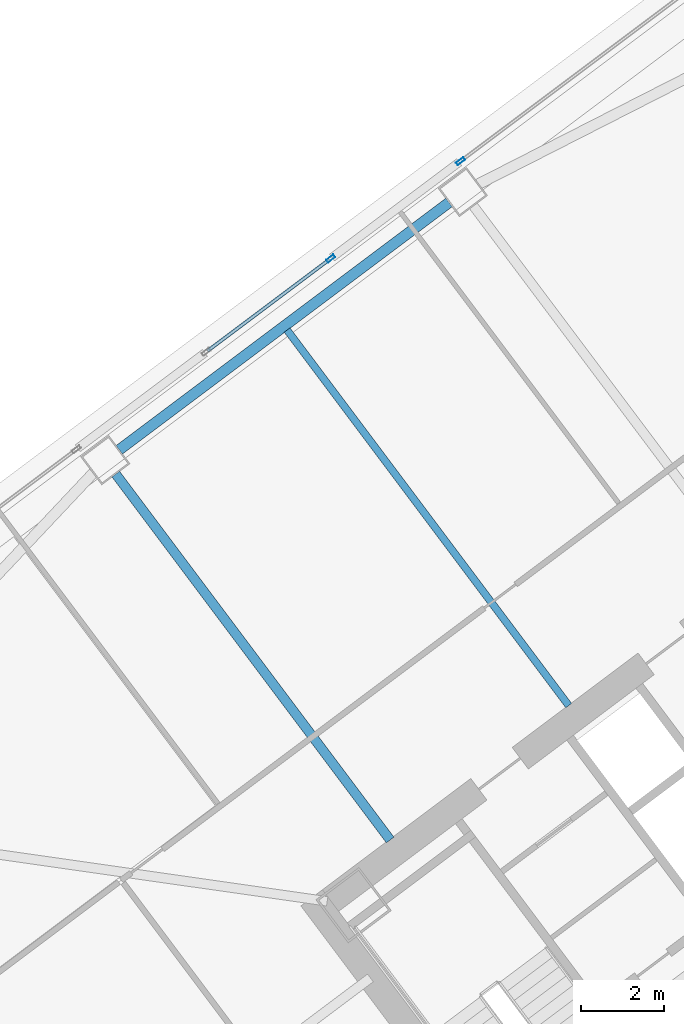
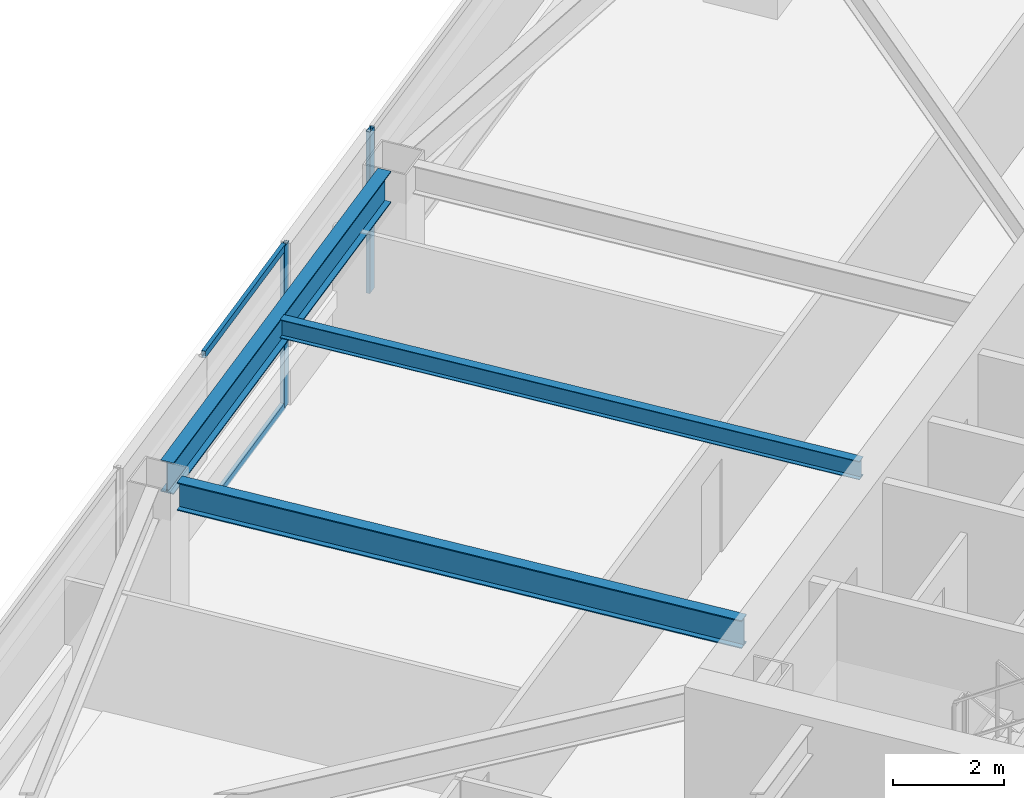
# One storey, part 28 of 46: 4 members, 3 beams, 2 elements without a shape of their own.
"""IFC4 building model written with IfcOpenShell, lengths in metres."""

from ifc_helpers import new_model, si_unit, direction, frame, origin, origin_2d, place, context, subcontext, project, spatial, hollow_rectangle, i_section, extrude, material, material_profile, profile_set, type_object, element, aggregate, save


model = new_model("IFC4")

# Units and contexts
model_context = context("Model", 3, precision=1e-05, world=origin(), true_north=direction((0.0, 1.0)))
body_context = subcontext(model_context, "Body", "Model", "MODEL_VIEW")
ifc_project = project(units=[si_unit("LENGTHUNIT", "METRE"), si_unit("AREAUNIT", "SQUARE_METRE"), si_unit("VOLUMEUNIT", "CUBIC_METRE"), si_unit("PLANEANGLEUNIT", "RADIAN"), si_unit("MASSUNIT", "GRAM", prefix="KILO")], contexts=[model_context])

# Site, building, storey
site_placement = place(None, origin())
site = spatial("IfcSite", under=ifc_project, at=site_placement, CompositionType="ELEMENT")
building_placement = place(site_placement, origin())
building = spatial("IfcBuilding", under=site, at=building_placement, Name="Tashvorn Skyway Center", CompositionType="ELEMENT")
storey_placement = place(building_placement, frame((0.0, 0.0, 99.14990234375)))
storey = spatial("IfcBuildingStorey", under=building, at=storey_placement, Name="L26", CompositionType="ELEMENT", Elevation=99.14990234375)

# Beams
ifc_material_1 = material(Name="Steel ASTM A992 Grade 50", Category="steel")
ifc_material_profile_1 = material_profile(ifc_material_1, i_section(OverallWidth=0.22998046875, OverallDepth=0.616943359375, WebThickness=0.01318359375, FlangeThickness=0.022216796875, at=origin_2d()), Name="W24X94")
ifc_profile_set_1 = profile_set([ifc_material_profile_1], Name="Steel ASTM A992 Grade 50")
beam_type_1 = type_object("IfcBeamType", Name="BM-BEAM-W24X94", PredefinedType="BEAM", material=ifc_profile_set_1)
beam_1_placement = place(storey_placement, frame((98.382080078125, 43.823974609375, 3.04150390625), z_axis=(0.599989394744, -0.800007953832, 0.0), x_axis=(0.800007953832, 0.599989394744, 0.0)))
element("IfcBeam", 1, at=beam_1_placement, inside=storey, type_object=beam_type_1, Name="Tower 2 L26 Primary Floor Girder FC-N2", PredefinedType="BEAM", context=body_context, shape_type="SweptSolid", body=[
    extrude(i_section(OverallWidth=0.22998046875, OverallDepth=0.616943359375, WebThickness=0.01318359375, FlangeThickness=0.022216796875, at=origin_2d()), origin(), (0.0, 0.0, 1.0), 11.050048828125),
])
ifc_material_profile_2 = material_profile(ifc_material_1, i_section(OverallWidth=0.177978515625, OverallDepth=0.406005859375, WebThickness=0.0078125, FlangeThickness=0.0126953125, at=origin_2d()), Name="W16X40")
ifc_profile_set_2 = profile_set([ifc_material_profile_2], Name="Steel ASTM A992 Grade 50")
beam_type_2 = type_object("IfcBeamType", Name="BM-JOIST-W16X40", PredefinedType="JOIST", material=ifc_profile_set_2)
beam_2_placement = place(storey_placement, frame((109.325927734375, 38.23193359375, 3.147216796875), z_axis=(-0.599996555327, 0.800002583493, 0.0), x_axis=(-0.800002583493, -0.599996555327, 0.0)))
element("IfcBeam", 2, at=beam_2_placement, inside=storey, type_object=beam_type_2, Name="Tower 2 L26 Secondary Composite Joist JN", PredefinedType="JOIST", context=body_context, shape_type="SweptSolid", body=[
    extrude(i_section(OverallWidth=0.177978515625, OverallDepth=0.406005859375, WebThickness=0.0078125, FlangeThickness=0.0126953125, at=origin_2d()), origin(), (0.0, 0.0, 1.0), 11.340087890625),
])
ifc_material_profile_3 = material_profile(ifc_material_1, i_section(OverallWidth=0.256103515625, OverallDepth=0.693115234375, WebThickness=0.014404296875, FlangeThickness=0.023681640625, at=origin_2d()), Name="W27X114")
ifc_profile_set_3 = profile_set([ifc_material_profile_3], Name="Steel ASTM A992 Grade 50")
beam_type_3 = type_object("IfcBeamType", Name="BM-SPANDREL-W27X114", PredefinedType="SPANDREL", material=ifc_profile_set_3)
beam_3_placement = place(storey_placement, frame((106.43408203125, 50.387939453125, 3.003662109375), z_axis=(-0.800008824351, -0.599988234018, 0.0), x_axis=(0.599988234018, -0.800008824351, 0.0)))
element("IfcBeam", 3, at=beam_3_placement, inside=storey, type_object=beam_type_3, Name="Tower 2 L26 Spandrel Beam 08", PredefinedType="SPANDREL", context=body_context, shape_type="SweptSolid", body=[
    extrude(i_section(OverallWidth=0.256103515625, OverallDepth=0.693115234375, WebThickness=0.014404296875, FlangeThickness=0.023681640625, at=origin_2d()), origin(), (0.0, 0.0, 1.0), 9.9599609375),
])

# Curtain wall, member
ifc_material_2 = material(Name="Thermally broken bronze-anodized aluminium 6063-T6", Category="aluminium")
curtain_wall_type = type_object("IfcCurtainWallType", Name="CW-CW-Z2", PredefinedType="NOTDEFINED", material=ifc_material_2)
curtain_wall_1_placement = place(storey_placement, origin())
curtain_wall_1 = element("IfcCurtainWall", 4, at=curtain_wall_1_placement, inside=storey, type_object=curtain_wall_type, Name="Tower 2 L26 North Unitised Curtain Wall Glazing Group 2", PredefinedType="NOTDEFINED")
ifc_material_profile_4 = material_profile(ifc_material_2, hollow_rectangle(XDim=0.080078125, YDim=0.219970703125, WallThickness=0.0048828125, at=origin_2d()), Name="ALU-MULL-80x220")
ifc_profile_set_4 = profile_set([ifc_material_profile_4], Name="Thermally broken bronze-anodized aluminium 6063-T6")
member_type_1 = type_object("IfcMemberType", Name="CWM-CW-Z2", PredefinedType="MULLION", material=ifc_profile_set_4)
member_1_placement = place(storey_placement, frame((103.575927734375, 49.031982421875, 0.0), z_axis=(0.0, 0.0, 1.0), x_axis=(-0.600000000002, 0.799999999998, 0.0)))
member_1 = element("IfcMember", 5, at=member_1_placement, type_object=member_type_1, Name="CW-Z2 mullion 2", PredefinedType="MULLION", context=body_context, shape_type="SweptSolid", body=[
    extrude(hollow_rectangle(XDim=0.080078125, YDim=0.219970703125, WallThickness=0.0048828125, at=origin_2d()), origin(), (0.0, 0.0, 1.0), 3.550048828125),
])

curtain_wall_2_placement = place(storey_placement, origin())
curtain_wall_2 = element("IfcCurtainWall", 6, at=curtain_wall_2_placement, inside=storey, type_object=curtain_wall_type, Name="Tower 2 L26 North Unitised Curtain Wall Glazing Group 3", PredefinedType="NOTDEFINED")
member_2_placement = place(storey_placement, frame((106.7119140625, 51.384033203125, 0.0), z_axis=(0.0, 0.0, 1.0), x_axis=(-0.600000000002, 0.799999999998, 0.0)))
member_2 = element("IfcMember", 7, at=member_2_placement, type_object=member_type_1, Name="CW-Z2 mullion 1", PredefinedType="MULLION", context=body_context, shape_type="SweptSolid", body=[
    extrude(hollow_rectangle(XDim=0.080078125, YDim=0.219970703125, WallThickness=0.0048828125, at=origin_2d()), origin(), (0.0, 0.0, 1.0), 3.550048828125),
])
aggregate(curtain_wall_2, [member_2])

# Member
ifc_material_profile_5 = material_profile(ifc_material_2, hollow_rectangle(XDim=0.080078125, YDim=0.14990234375, WallThickness=0.00439453125, at=origin_2d()), Name="ALU-TRAN-80x150")
ifc_profile_set_5 = profile_set([ifc_material_profile_5], Name="Thermally broken bronze-anodized aluminium 6063-T6")
member_type_2 = type_object("IfcMemberType", Name="CWT-CW-Z2", PredefinedType="USERDEFINED", material=ifc_profile_set_5)
member_3_placement = place(storey_placement, frame((100.60009765625, 46.800048828125, 0.0400390625), z_axis=(0.799984076997, 0.600021230084, 0.0), x_axis=(-0.600021230084, 0.799984076997, 0.0)))
member_3 = element("IfcMember", 8, at=member_3_placement, type_object=member_type_2, Name="CW-Z2 transom 1.1", ObjectType="TRANSOM", PredefinedType="USERDEFINED", context=body_context, shape_type="SweptSolid", body=[
    extrude(hollow_rectangle(XDim=0.080078125, YDim=0.14990234375, WallThickness=0.00439453125, at=origin_2d()), origin(), (0.0, 0.0, 1.0), 3.679931640625),
])

member_4_placement = place(storey_placement, frame((100.60009765625, 46.800048828125, 3.510009765625), z_axis=(0.799984076997, 0.600021230084, 0.0), x_axis=(-0.600021230084, 0.799984076997, 0.0)))
member_4 = element("IfcMember", 9, at=member_4_placement, type_object=member_type_2, Name="CW-Z2 transom 1.2", ObjectType="TRANSOM", PredefinedType="USERDEFINED", context=body_context, shape_type="SweptSolid", body=[
    extrude(hollow_rectangle(XDim=0.080078125, YDim=0.14990234375, WallThickness=0.00439453125, at=origin_2d()), origin(), (0.0, 0.0, 1.0), 3.679931640625),
])

aggregate(curtain_wall_1, [member_1, member_3, member_4])

save(model, "model.ifc")
